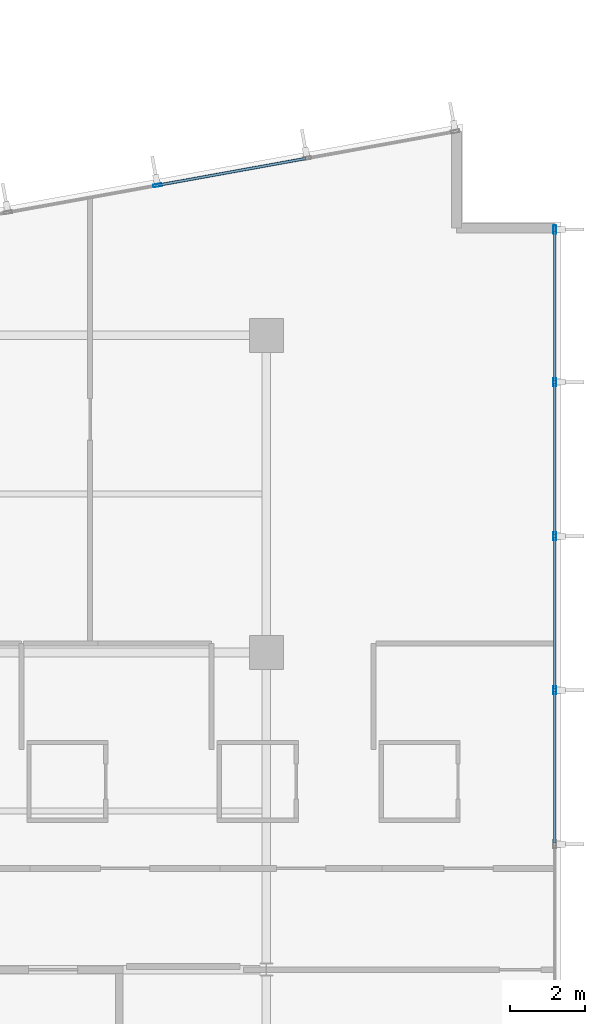
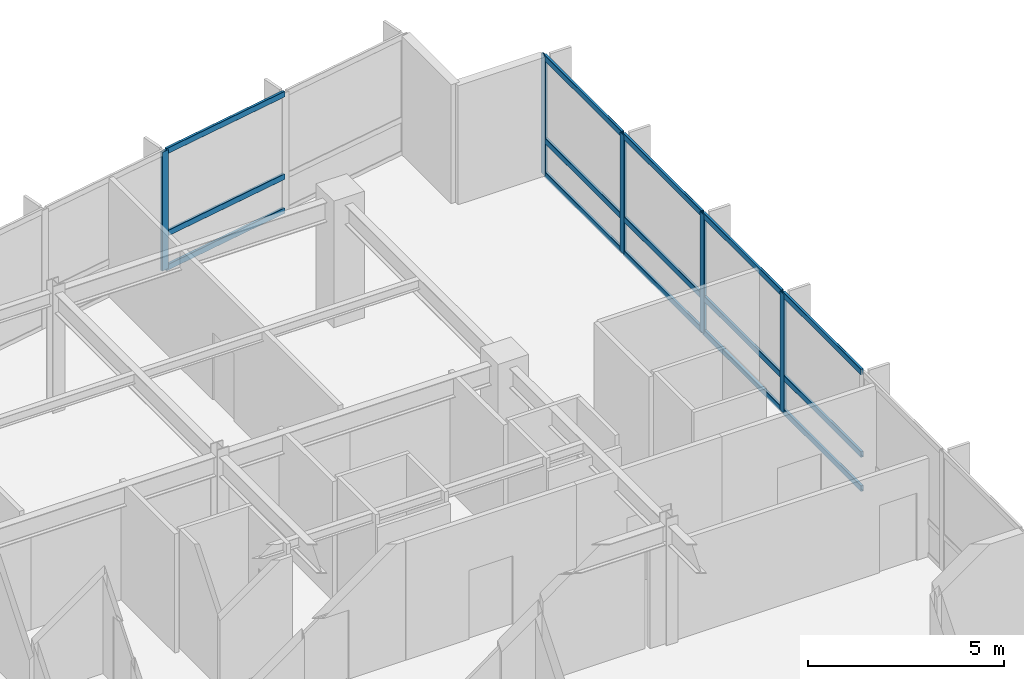
# One storey, part 8 of 21: 20 members, 2 elements without a shape of their own.
"""IFC4 building model written with IfcOpenShell, lengths in metres."""

from ifc_helpers import new_model, si_unit, direction, frame, origin, origin_2d, place, context, subcontext, project, spatial, hollow_rectangle, extrude, material, layer, layer_set, material_profile, profile_set, type_object, element, aggregate, save


model = new_model("IFC4")

# Units and contexts
model_context = context("Model", 3, precision=1e-05, world=origin(), true_north=direction((0.0, 1.0)))
body_context = subcontext(model_context, "Body", "Model", "MODEL_VIEW")
ifc_project = project(units=[si_unit("LENGTHUNIT", "METRE"), si_unit("AREAUNIT", "SQUARE_METRE"), si_unit("VOLUMEUNIT", "CUBIC_METRE"), si_unit("PLANEANGLEUNIT", "RADIAN"), si_unit("MASSUNIT", "GRAM", prefix="KILO")], contexts=[model_context])

# Site, building, storey
site_placement = place(None, origin())
site = spatial("IfcSite", under=ifc_project, at=site_placement, CompositionType="ELEMENT")
building_placement = place(site_placement, origin())
building = spatial("IfcBuilding", under=site, at=building_placement, Name="Varnakote Quay Hospital", CompositionType="ELEMENT")
storey_placement = place(building_placement, frame((0.0, 0.0, 42.25)))
storey = spatial("IfcBuildingStorey", under=building, at=storey_placement, Name="L10", CompositionType="ELEMENT", Elevation=42.25)

# Curtain wall, members
ifc_material_1 = material(Name="Anodised aluminium 6063-T6 Bronze", Category="aluminium")
ifc_layer = layer(ifc_material_1, 0.18994140625)
ifc_layer_set = layer_set([ifc_layer], Name="Anodised aluminium 6063-T6 Bronze")
curtain_wall_type = type_object("IfcCurtainWallType", Name="CW-SYS-2", PredefinedType="NOTDEFINED", material=ifc_layer_set)
curtain_wall_1_placement = place(storey_placement, origin())
curtain_wall_1 = element("IfcCurtainWall", 1, at=curtain_wall_1_placement, inside=storey, type_object=curtain_wall_type, Name="L10 Unitised Bronze Curtain Wall 1", PredefinedType="NOTDEFINED")
ifc_material_2 = material(Name="Anodised aluminium 6063-T6 Bronze", Category="aluminium")
ifc_material_profile_1 = material_profile(ifc_material_2, hollow_rectangle(XDim=0.074951171875, YDim=0.219970703125, WallThickness=0.00439453125, InnerFilletRadius=0.00439453125, OuterFilletRadius=0.009033203125, at=origin_2d()), Name="CW-MULL-220x75")
ifc_profile_set_1 = profile_set([ifc_material_profile_1], Name="Anodised aluminium 6063-T6 Bronze")
member_type_1 = type_object("IfcMemberType", Name="CW-MULL-220x75", PredefinedType="MULLION", material=ifc_profile_set_1)
member_1_placement = place(storey_placement, frame((58.0400390625, 19.39990234375, 0.0), z_axis=(0.0, 0.0, 1.0), x_axis=(-1.0, 0.0, 0.0)))
member_1 = element("IfcMember", 2, at=member_1_placement, type_object=member_type_1, Name="-2-L10-1 mullion 4", PredefinedType="MULLION", context=body_context, shape_type="SweptSolid", body=[
    extrude(hollow_rectangle(XDim=0.074951171875, YDim=0.219970703125, WallThickness=0.00439453125, InnerFilletRadius=0.00439453125, OuterFilletRadius=0.009033203125, at=origin_2d()), origin(), (0.0, 0.0, 1.0), 3.7099609375),
])
member_2_placement = place(storey_placement, frame((58.0400390625, 23.47998046875, 0.0), z_axis=(0.0, 0.0, 1.0), x_axis=(-1.0, 0.0, 0.0)))
member_2 = element("IfcMember", 3, at=member_2_placement, type_object=member_type_1, Name="-2-L10-1 mullion 5", PredefinedType="MULLION", context=body_context, shape_type="SweptSolid", body=[
    extrude(hollow_rectangle(XDim=0.074951171875, YDim=0.219970703125, WallThickness=0.00439453125, InnerFilletRadius=0.00439453125, OuterFilletRadius=0.009033203125, at=origin_2d()), origin(), (0.0, 0.0, 1.0), 3.7099609375),
])
member_3_placement = place(storey_placement, frame((58.0400390625, 27.56005859375, 0.0), z_axis=(0.0, 0.0, 1.0), x_axis=(-1.0, 0.0, 0.0)))
member_3 = element("IfcMember", 4, at=member_3_placement, type_object=member_type_1, Name="-2-L10-1 mullion 6", PredefinedType="MULLION", context=body_context, shape_type="SweptSolid", body=[
    extrude(hollow_rectangle(XDim=0.074951171875, YDim=0.219970703125, WallThickness=0.00439453125, InnerFilletRadius=0.00439453125, OuterFilletRadius=0.009033203125, at=origin_2d()), origin(), (0.0, 0.0, 1.0), 3.7099609375),
])
member_4_placement = place(storey_placement, frame((58.0400390625, 31.6025390625, 0.0), z_axis=(0.0, 0.0, 1.0), x_axis=(-1.0, 0.0, 0.0)))
member_4 = element("IfcMember", 5, at=member_4_placement, type_object=member_type_1, Name="-2-L10-1 mullion 7", PredefinedType="MULLION", context=body_context, shape_type="SweptSolid", body=[
    extrude(hollow_rectangle(XDim=0.074951171875, YDim=0.219970703125, WallThickness=0.00439453125, InnerFilletRadius=0.00439453125, OuterFilletRadius=0.009033203125, at=origin_2d()), origin(), (0.0, 0.0, 1.0), 3.7099609375),
])

# Curtain wall, member
curtain_wall_2_placement = place(storey_placement, origin())
curtain_wall_2 = element("IfcCurtainWall", 6, at=curtain_wall_2_placement, inside=storey, type_object=curtain_wall_type, Name="L10 Unitised Bronze Curtain Wall 2", PredefinedType="NOTDEFINED")
member_5_placement = place(storey_placement, frame((47.514892578125, 32.776123046875, 0.0), z_axis=(0.0, 0.0, 1.0), x_axis=(0.177846199098, -0.984058295766, 0.0)))
member_5 = element("IfcMember", 7, at=member_5_placement, type_object=member_type_1, Name="-2-L10-2 mullion 3", PredefinedType="MULLION", context=body_context, shape_type="SweptSolid", body=[
    extrude(hollow_rectangle(XDim=0.074951171875, YDim=0.219970703125, WallThickness=0.00439453125, InnerFilletRadius=0.00439453125, OuterFilletRadius=0.009033203125, at=origin_2d()), origin(), (0.0, 0.0, 1.0), 3.7099609375),
])

# Member
ifc_material_3 = material(Name="Anodised aluminium 6063-T6 Bronze", Category="aluminium")
ifc_material_profile_2 = material_profile(ifc_material_3, hollow_rectangle(XDim=0.074951171875, YDim=0.179931640625, WallThickness=0.004150390625, InnerFilletRadius=0.004150390625, OuterFilletRadius=0.00830078125, at=origin_2d()), Name="CW-TRAN-180x75")
ifc_profile_set_2 = profile_set([ifc_material_profile_2], Name="Anodised aluminium 6063-T6 Bronze")
member_type_2 = type_object("IfcMemberType", Name="CW-TRAN-180x75", PredefinedType="USERDEFINED", material=ifc_profile_set_2)
member_6_placement = place(storey_placement, frame((58.0400390625, 15.357421875, 0.03759765625), z_axis=(0.0, 1.0, 0.0), x_axis=(-1.0, 0.0, 0.0)))
member_6 = element("IfcMember", 8, at=member_6_placement, type_object=member_type_2, Name="-2-L10-1 transom 3.1", ObjectType="TRANSOM", PredefinedType="USERDEFINED", context=body_context, shape_type="SweptSolid", body=[
    extrude(hollow_rectangle(XDim=0.074951171875, YDim=0.179931640625, WallThickness=0.004150390625, InnerFilletRadius=0.004150390625, OuterFilletRadius=0.00830078125, at=origin_2d()), origin(), (0.0, 0.0, 1.0), 4.005126953125),
])

member_7_placement = place(storey_placement, frame((58.0400390625, 15.357421875, 1.10009765625), z_axis=(0.0, 1.0, 0.0), x_axis=(-1.0, 0.0, 0.0)))
member_7 = element("IfcMember", 9, at=member_7_placement, type_object=member_type_2, Name="-2-L10-1 transom 3.2", ObjectType="TRANSOM", PredefinedType="USERDEFINED", context=body_context, shape_type="SweptSolid", body=[
    extrude(hollow_rectangle(XDim=0.074951171875, YDim=0.179931640625, WallThickness=0.004150390625, InnerFilletRadius=0.004150390625, OuterFilletRadius=0.00830078125, at=origin_2d()), origin(), (0.0, 0.0, 1.0), 4.005126953125),
])

member_8_placement = place(storey_placement, frame((58.0400390625, 15.357421875, 3.672607421875), z_axis=(0.0, 1.0, 0.0), x_axis=(-1.0, 0.0, 0.0)))
member_8 = element("IfcMember", 10, at=member_8_placement, type_object=member_type_2, Name="-2-L10-1 transom 3.3", ObjectType="TRANSOM", PredefinedType="USERDEFINED", context=body_context, shape_type="SweptSolid", body=[
    extrude(hollow_rectangle(XDim=0.074951171875, YDim=0.179931640625, WallThickness=0.004150390625, InnerFilletRadius=0.004150390625, OuterFilletRadius=0.00830078125, at=origin_2d()), origin(), (0.0, 0.0, 1.0), 4.005126953125),
])

member_9_placement = place(storey_placement, frame((58.0400390625, 19.4375, 0.03759765625), z_axis=(0.0, 1.0, 0.0), x_axis=(-1.0, 0.0, 0.0)))
member_9 = element("IfcMember", 11, at=member_9_placement, type_object=member_type_2, Name="-2-L10-1 transom 4.1", ObjectType="TRANSOM", PredefinedType="USERDEFINED", context=body_context, shape_type="SweptSolid", body=[
    extrude(hollow_rectangle(XDim=0.074951171875, YDim=0.179931640625, WallThickness=0.004150390625, InnerFilletRadius=0.004150390625, OuterFilletRadius=0.00830078125, at=origin_2d()), origin(), (0.0, 0.0, 1.0), 4.0048828125),
])

member_10_placement = place(storey_placement, frame((58.0400390625, 19.4375, 1.10009765625), z_axis=(0.0, 1.0, 0.0), x_axis=(-1.0, 0.0, 0.0)))
member_10 = element("IfcMember", 12, at=member_10_placement, type_object=member_type_2, Name="-2-L10-1 transom 4.2", ObjectType="TRANSOM", PredefinedType="USERDEFINED", context=body_context, shape_type="SweptSolid", body=[
    extrude(hollow_rectangle(XDim=0.074951171875, YDim=0.179931640625, WallThickness=0.004150390625, InnerFilletRadius=0.004150390625, OuterFilletRadius=0.00830078125, at=origin_2d()), origin(), (0.0, 0.0, 1.0), 4.0048828125),
])

member_11_placement = place(storey_placement, frame((58.0400390625, 19.4375, 3.672607421875), z_axis=(0.0, 1.0, 0.0), x_axis=(-1.0, 0.0, 0.0)))
member_11 = element("IfcMember", 13, at=member_11_placement, type_object=member_type_2, Name="-2-L10-1 transom 4.3", ObjectType="TRANSOM", PredefinedType="USERDEFINED", context=body_context, shape_type="SweptSolid", body=[
    extrude(hollow_rectangle(XDim=0.074951171875, YDim=0.179931640625, WallThickness=0.004150390625, InnerFilletRadius=0.004150390625, OuterFilletRadius=0.00830078125, at=origin_2d()), origin(), (0.0, 0.0, 1.0), 4.0048828125),
])

member_12_placement = place(storey_placement, frame((58.0400390625, 23.517578125, 0.03759765625), z_axis=(0.0, 1.0, 0.0), x_axis=(-1.0, 0.0, 0.0)))
member_12 = element("IfcMember", 14, at=member_12_placement, type_object=member_type_2, Name="-2-L10-1 transom 5.1", ObjectType="TRANSOM", PredefinedType="USERDEFINED", context=body_context, shape_type="SweptSolid", body=[
    extrude(hollow_rectangle(XDim=0.074951171875, YDim=0.179931640625, WallThickness=0.004150390625, InnerFilletRadius=0.004150390625, OuterFilletRadius=0.00830078125, at=origin_2d()), origin(), (0.0, 0.0, 1.0), 4.0048828125),
])

member_13_placement = place(storey_placement, frame((58.0400390625, 23.517578125, 1.10009765625), z_axis=(0.0, 1.0, 0.0), x_axis=(-1.0, 0.0, 0.0)))
member_13 = element("IfcMember", 15, at=member_13_placement, type_object=member_type_2, Name="-2-L10-1 transom 5.2", ObjectType="TRANSOM", PredefinedType="USERDEFINED", context=body_context, shape_type="SweptSolid", body=[
    extrude(hollow_rectangle(XDim=0.074951171875, YDim=0.179931640625, WallThickness=0.004150390625, InnerFilletRadius=0.004150390625, OuterFilletRadius=0.00830078125, at=origin_2d()), origin(), (0.0, 0.0, 1.0), 4.0048828125),
])

member_14_placement = place(storey_placement, frame((58.0400390625, 23.517578125, 3.672607421875), z_axis=(0.0, 1.0, 0.0), x_axis=(-1.0, 0.0, 0.0)))
member_14 = element("IfcMember", 16, at=member_14_placement, type_object=member_type_2, Name="-2-L10-1 transom 5.3", ObjectType="TRANSOM", PredefinedType="USERDEFINED", context=body_context, shape_type="SweptSolid", body=[
    extrude(hollow_rectangle(XDim=0.074951171875, YDim=0.179931640625, WallThickness=0.004150390625, InnerFilletRadius=0.004150390625, OuterFilletRadius=0.00830078125, at=origin_2d()), origin(), (0.0, 0.0, 1.0), 4.0048828125),
])

member_15_placement = place(storey_placement, frame((58.0400390625, 27.597412109375, 0.03759765625), z_axis=(0.0, 1.0, 0.0), x_axis=(-1.0, 0.0, 0.0)))
member_15 = element("IfcMember", 17, at=member_15_placement, type_object=member_type_2, Name="-2-L10-1 transom 6.1", ObjectType="TRANSOM", PredefinedType="USERDEFINED", context=body_context, shape_type="SweptSolid", body=[
    extrude(hollow_rectangle(XDim=0.074951171875, YDim=0.179931640625, WallThickness=0.004150390625, InnerFilletRadius=0.004150390625, OuterFilletRadius=0.00830078125, at=origin_2d()), origin(), (0.0, 0.0, 1.0), 3.967529296875),
])

member_16_placement = place(storey_placement, frame((58.0400390625, 27.597412109375, 1.10009765625), z_axis=(0.0, 1.0, 0.0), x_axis=(-1.0, 0.0, 0.0)))
member_16 = element("IfcMember", 18, at=member_16_placement, type_object=member_type_2, Name="-2-L10-1 transom 6.2", ObjectType="TRANSOM", PredefinedType="USERDEFINED", context=body_context, shape_type="SweptSolid", body=[
    extrude(hollow_rectangle(XDim=0.074951171875, YDim=0.179931640625, WallThickness=0.004150390625, InnerFilletRadius=0.004150390625, OuterFilletRadius=0.00830078125, at=origin_2d()), origin(), (0.0, 0.0, 1.0), 3.967529296875),
])

member_17_placement = place(storey_placement, frame((58.0400390625, 27.597412109375, 3.672607421875), z_axis=(0.0, 1.0, 0.0), x_axis=(-1.0, 0.0, 0.0)))
member_17 = element("IfcMember", 19, at=member_17_placement, type_object=member_type_2, Name="-2-L10-1 transom 6.3", ObjectType="TRANSOM", PredefinedType="USERDEFINED", context=body_context, shape_type="SweptSolid", body=[
    extrude(hollow_rectangle(XDim=0.074951171875, YDim=0.179931640625, WallThickness=0.004150390625, InnerFilletRadius=0.004150390625, OuterFilletRadius=0.00830078125, at=origin_2d()), origin(), (0.0, 0.0, 1.0), 3.967529296875),
])

aggregate(curtain_wall_1, [member_1, member_2, member_3, member_4, member_6, member_7, member_8, member_9, member_10, member_11, member_12, member_13, member_14, member_15, member_16, member_17])

member_18_placement = place(storey_placement, frame((51.4404296875, 33.485595703125, 0.03759765625), z_axis=(-0.984065046829, -0.177808840079, 0.0), x_axis=(0.177808840079, -0.984065046829, 0.0)))
member_18 = element("IfcMember", 20, at=member_18_placement, type_object=member_type_2, Name="-2-L10-2 transom 2.1", ObjectType="TRANSOM", PredefinedType="USERDEFINED", context=body_context, shape_type="SweptSolid", body=[
    extrude(hollow_rectangle(XDim=0.074951171875, YDim=0.179931640625, WallThickness=0.004150390625, InnerFilletRadius=0.004150390625, OuterFilletRadius=0.00830078125, at=origin_2d()), origin(), (0.0, 0.0, 1.0), 3.95166015625),
])

member_19_placement = place(storey_placement, frame((51.4404296875, 33.485595703125, 1.10009765625), z_axis=(-0.984065046829, -0.177808840079, 0.0), x_axis=(0.177808840079, -0.984065046829, 0.0)))
member_19 = element("IfcMember", 21, at=member_19_placement, type_object=member_type_2, Name="-2-L10-2 transom 2.2", ObjectType="TRANSOM", PredefinedType="USERDEFINED", context=body_context, shape_type="SweptSolid", body=[
    extrude(hollow_rectangle(XDim=0.074951171875, YDim=0.179931640625, WallThickness=0.004150390625, InnerFilletRadius=0.004150390625, OuterFilletRadius=0.00830078125, at=origin_2d()), origin(), (0.0, 0.0, 1.0), 3.95166015625),
])

member_20_placement = place(storey_placement, frame((51.4404296875, 33.485595703125, 3.672607421875), z_axis=(-0.984065046829, -0.177808840079, 0.0), x_axis=(0.177808840079, -0.984065046829, 0.0)))
member_20 = element("IfcMember", 22, at=member_20_placement, type_object=member_type_2, Name="-2-L10-2 transom 2.3", ObjectType="TRANSOM", PredefinedType="USERDEFINED", context=body_context, shape_type="SweptSolid", body=[
    extrude(hollow_rectangle(XDim=0.074951171875, YDim=0.179931640625, WallThickness=0.004150390625, InnerFilletRadius=0.004150390625, OuterFilletRadius=0.00830078125, at=origin_2d()), origin(), (0.0, 0.0, 1.0), 3.95166015625),
])

aggregate(curtain_wall_2, [member_5, member_18, member_19, member_20])

save(model, "model.ifc")
